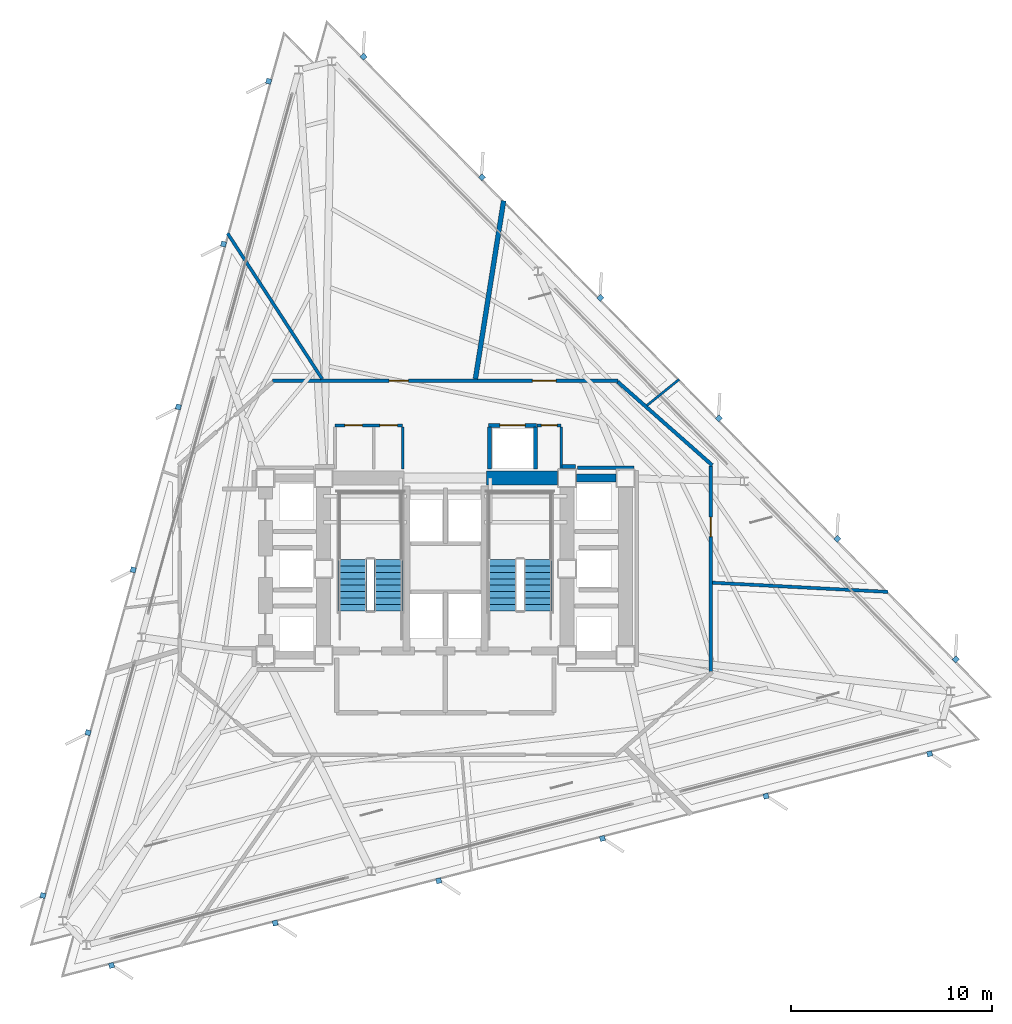
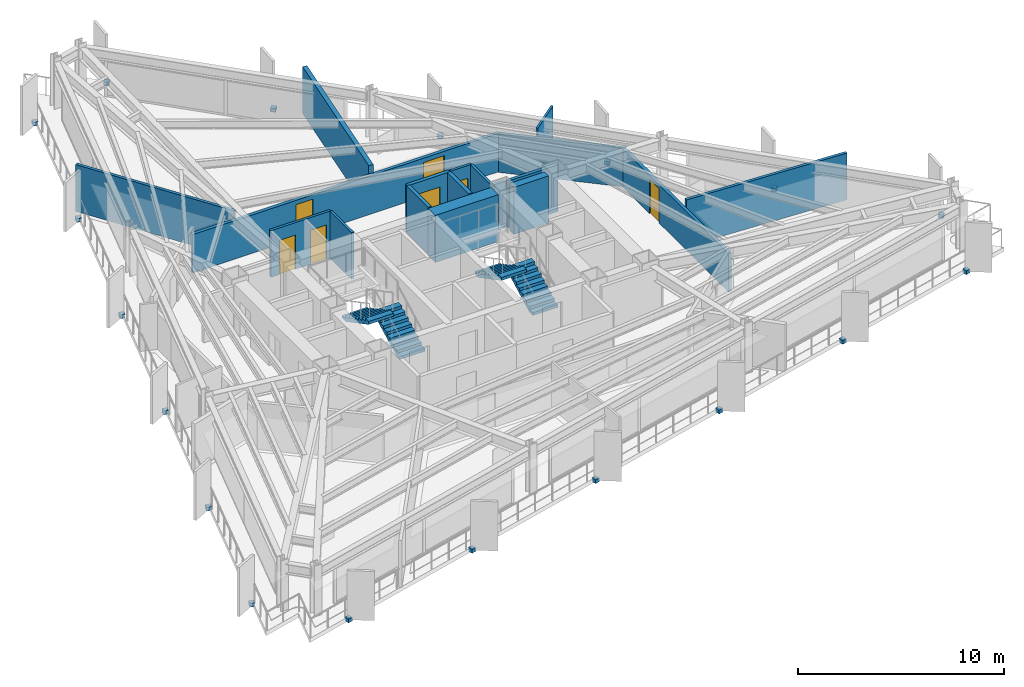
# One storey, part 8 of 11: 18 discrete accessories, 18 walls, 7 doors, 4 stair flights, 7 openings, 2 elements without a shape of their own.
"""IFC4 building model written with IfcOpenShell, lengths in metres."""

from ifc_helpers import new_model, si_unit, direction, frame, frame_2d, origin, origin_2d, place, context, subcontext, project, spatial, polyline, rectangle, outline, extrude, material, layer, layer_set, type_object, element, fill, aggregate, save


model = new_model("IFC4")

# Units and contexts
model_context = context("Model", 3, precision=1e-05, world=origin(), true_north=direction((0.0, 1.0)))
body_context = subcontext(model_context, "Body", "Model", "MODEL_VIEW")
ifc_project = project(units=[si_unit("LENGTHUNIT", "METRE"), si_unit("AREAUNIT", "SQUARE_METRE"), si_unit("VOLUMEUNIT", "CUBIC_METRE"), si_unit("PLANEANGLEUNIT", "RADIAN"), si_unit("MASSUNIT", "GRAM", prefix="KILO")], contexts=[model_context])

# Site, building, storey
site_placement = place(None, origin())
site = spatial("IfcSite", under=ifc_project, at=site_placement, CompositionType="ELEMENT")
building_placement = place(site_placement, origin())
building = spatial("IfcBuilding", under=site, at=building_placement, Name="Rocaltana Carrier Exchange", CompositionType="ELEMENT")
storey_placement = place(building_placement, frame((0.0, 0.0, 94.719970703125)))
storey = spatial("IfcBuildingStorey", under=building, at=storey_placement, Name="L29", CompositionType="ELEMENT", Elevation=94.719970703125)

# Walls
ifc_material_1 = material(Name="Double Acoustic Gypsum Partition", Category="gypsum")
ifc_layer_1 = layer(ifc_material_1, 0.159912109375)
ifc_layer_set_1 = layer_set([ifc_layer_1], Name="Double Acoustic Gypsum Partition")
wall_type_1 = type_object("IfcWallType", Name="Acoustic Studio Partition 160 EI60", PredefinedType="PARTITIONING", material=ifc_layer_set_1)
wall_1_placement = place(storey_placement, frame((13.280029296875, -0.696044921875, 0.0), z_axis=(0.0, 0.0, 1.0), x_axis=(0.998630385284, -0.052319724644, 0.0)))
element("IfcWall", 1, at=wall_1_placement, inside=storey, type_object=wall_type_1, Name="L29 Suite Divider Wall D6", PredefinedType="PARTITIONING", context=body_context, shape_type="SweptSolid", body=[
    extrude(rectangle(XDim=8.7353515625, YDim=0.159912109375, at=frame_2d((4.36767578125, 0.0))), origin(), (0.0, 0.0, 1.0), 2.762939453125),
])
wall_2_placement = place(storey_placement, frame((-6.123779296875, 9.429931640625, 0.0), z_axis=(0.0, 0.0, 1.0), x_axis=(-0.544640325453, 0.838669729924, 0.0)))
element("IfcWall", 2, at=wall_2_placement, inside=storey, type_object=wall_type_1, Name="L29 Suite Divider Wall D9", PredefinedType="PARTITIONING", context=body_context, shape_type="SweptSolid", body=[
    extrude(rectangle(XDim=8.63134765625, YDim=0.159912109375, at=frame_2d((4.315673828125, 0.0))), origin(), (0.0, 0.0, 1.0), 2.762939453125),
])
ifc_material_2 = material(Name="Concrete C50/60", Category="concrete")
ifc_layer_2 = layer(ifc_material_2, 0.39990234375)
ifc_layer_set_2 = layer_set([ifc_layer_2], Name="Concrete C50/60")
wall_type_2 = type_object("IfcWallType", Name="Core Internal Shear Wall 400", PredefinedType="SHEAR", material=ifc_layer_set_2)
wall_3_placement = place(storey_placement, frame((6.52490234375, 4.5, 0.0), z_axis=(0.0, 0.0, 1.0), x_axis=(1.0, 0.0, 0.0)))
element("IfcWall", 3, at=wall_3_placement, inside=storey, type_object=wall_type_2, Name="L29 Core Shear Wall CW-EWN", PredefinedType="SHEAR", context=body_context, shape_type="SweptSolid", body=[
    extrude(rectangle(XDim=1.9501953125, YDim=0.39990234375, at=frame_2d((0.97509765625, 0.0))), origin(), (0.0, 0.0, 1.0), 2.7880859375),
])
ifc_material_3 = material(Name="Concrete C60/75", Category="concrete")
ifc_layer_3 = layer(ifc_material_3, 0.699951171875)
ifc_layer_set_3 = layer_set([ifc_layer_3], Name="Concrete C60/75")
wall_type_3 = type_object("IfcWallType", Name="Core Shear Wall 700", PredefinedType="SHEAR", material=ifc_layer_set_3)
wall_4_placement = place(storey_placement, frame((2.050048828125, 4.5, 0.0), z_axis=(0.0, 0.0, 1.0), x_axis=(1.0, 0.0, 0.0)))
element("IfcWall", 4, at=wall_4_placement, inside=storey, type_object=wall_type_3, Name="L29 Core Shear Wall CW-N2", PredefinedType="SHEAR", context=body_context, shape_type="SweptSolid", body=[
    extrude(rectangle(XDim=3.52490234375, YDim=0.699951171875, at=frame_2d((1.762451171875, 0.0))), origin(), (0.0, 0.0, 1.0), 2.7880859375),
])

# Wall, openings, doors
ifc_material_4 = material(Name="Gypsum & Steel Stud Partition", Category="steel")
ifc_layer_4 = layer(ifc_material_4, 0.179931640625)
ifc_layer_set_4 = layer_set([ifc_layer_4], Name="Gypsum & Steel Stud Partition")
wall_type_4 = type_object("IfcWallType", Name="Corridor Fire Partition 180 EI60", PredefinedType="PARTITIONING", material=ifc_layer_set_4)
wall_5_placement = place(storey_placement, frame((-8.590087890625, 9.35009765625, 0.0), z_axis=(0.0, 0.0, 1.0), x_axis=(1.0, 0.0, 0.0)))
wall_5 = element("IfcWall", 5, at=wall_5_placement, inside=storey, type_object=wall_type_4, Name="L29 Corridor Partition 1", PredefinedType="PARTITIONING", context=body_context, shape_type="SweptSolid", body=[
    extrude(rectangle(XDim=17.18017578125, YDim=0.179931640625, at=frame_2d((8.590087890625, 0.0))), origin(), (0.0, 0.0, 1.0), 2.277099609375),
])
opening_1_placement = place(wall_5_placement, frame((12.911865234375, 0.0, 0.0)))
opening_1 = element("IfcOpeningElement", 6, at=opening_1_placement, cuts=wall_5, Name="Opening D-SU120", PredefinedType="OPENING", context=body_context, shape_type="SweptSolid", body=[
    extrude(rectangle(XDim=1.179931640625, YDim=2.02001953125, at=frame_2d((0.58984375, 1.010009765625))), frame((0.0, 0.099853515625, 0.0), z_axis=(0.0, -1.0, 0.0), x_axis=(1.0, 0.0, 0.0)), (0.0, 0.0, 1.0), 0.199951171875),
])
opening_2_placement = place(wall_5_placement, frame((5.78955078125, 0.0, 0.0)))
opening_2 = element("IfcOpeningElement", 7, at=opening_2_placement, cuts=wall_5, Name="Opening D-RM098", PredefinedType="OPENING", context=body_context, shape_type="SweptSolid", body=[
    extrude(rectangle(XDim=0.9599609375, YDim=2.02001953125, at=frame_2d((0.47998046875, 1.010009765625))), frame((0.0, 0.099853515625, 0.0), z_axis=(0.0, -1.0, 0.0), x_axis=(1.0, 0.0, 0.0)), (0.0, 0.0, 1.0), 0.199951171875),
])
ifc_material_5 = material(Name="Engineered Hardwood Timber", Category="wood")
door_type_1 = type_object("IfcDoorType", Name="Suite Double Entrance Door 1180x2020", OperationType="NOTDEFINED", PredefinedType="DOOR", material=ifc_material_5)
door_1_placement = place(opening_1_placement, origin())
door_1 = element("IfcDoor", 8, at=door_1_placement, inside=storey, type_object=door_type_1, Name="L29 Carrier Peering Suite Entrance Door", OperationType="SINGLE_SWING_LEFT", OverallHeight=2.02001953125, OverallWidth=1.179931640625, PredefinedType="DOOR", context=body_context, shape_type="SweptSolid", body=[
    extrude(rectangle(XDim=1.179931640625, YDim=2.02001953125, at=frame_2d((0.58984375, 1.010009765625))), frame((0.0, 0.02490234375, 0.0), z_axis=(0.0, -1.0, 0.0), x_axis=(1.0, 0.0, 0.0)), (0.0, 0.0, 1.0), 0.050048828125),
])
fill(opening_1, door_1)
ifc_material_6 = material(Name="Engineered Hardwood Timber", Category="wood")
door_type_2 = type_object("IfcDoorType", Name="Workspace Single Door 960x2020", OperationType="NOTDEFINED", PredefinedType="DOOR", material=ifc_material_6)
door_2_placement = place(opening_2_placement, origin())
door_2 = element("IfcDoor", 9, at=door_2_placement, inside=storey, type_object=door_type_2, Name="L29 Quiet Focus Lounge Entrance Door", OperationType="SINGLE_SWING_RIGHT", OverallHeight=2.02001953125, OverallWidth=0.9599609375, PredefinedType="DOOR", context=body_context, shape_type="SweptSolid", body=[
    extrude(rectangle(XDim=0.9599609375, YDim=2.02001953125, at=frame_2d((0.47998046875, 1.010009765625))), frame((0.0, 0.02490234375, 0.0), z_axis=(0.0, -1.0, 0.0), x_axis=(1.0, 0.0, 0.0)), (0.0, 0.0, 1.0), 0.050048828125),
])
fill(opening_2, door_2)

# Wall
wall_6_placement = place(storey_placement, frame((8.5673828125, 9.290283203125, 0.0), z_axis=(0.0, 0.0, 1.0), x_axis=(0.749626463267, -0.66186113768, 0.0)))
element("IfcWall", 10, at=wall_6_placement, inside=storey, type_object=wall_type_4, Name="L29 Corridor Partition 2", PredefinedType="PARTITIONING", context=body_context, shape_type="SweptSolid", body=[
    extrude(rectangle(XDim=6.27001953125, YDim=0.179931640625, at=frame_2d((3.135009765625, 0.0))), origin(), (0.0, 0.0, 1.0), 2.277099609375),
])

# Wall, opening, door
wall_7_placement = place(storey_placement, frame((13.199951171875, 5.110107421875, 0.0), z_axis=(0.0, 0.0, 1.0), x_axis=(0.0, -1.0, 0.0)))
wall_7 = element("IfcWall", 11, at=wall_7_placement, inside=storey, type_object=wall_type_4, Name="L29 Corridor Partition 3", PredefinedType="PARTITIONING", context=body_context, shape_type="SweptSolid", body=[
    extrude(rectangle(XDim=10.22021484375, YDim=0.179931640625, at=frame_2d((5.110107421875, 0.0))), origin(), (0.0, 0.0, 1.0), 2.277099609375),
])
opening_3_placement = place(wall_7_placement, frame((2.552978515625, 0.0, 0.0)))
opening_3 = element("IfcOpeningElement", 12, at=opening_3_placement, cuts=wall_7, Name="Opening D-RM098", PredefinedType="OPENING", context=body_context, shape_type="SweptSolid", body=[
    extrude(rectangle(XDim=0.9599609375, YDim=2.02001953125, at=frame_2d((0.47998046875, 1.010009765625))), frame((0.0, 0.099853515625, 0.0), z_axis=(0.0, -1.0, 0.0), x_axis=(1.0, 0.0, 0.0)), (0.0, 0.0, 1.0), 0.199951171875),
])
door_3_placement = place(opening_3_placement, origin())
door_3 = element("IfcDoor", 13, at=door_3_placement, inside=storey, type_object=door_type_2, Name="L29 Peering Conference Room Entrance Door", OperationType="SINGLE_SWING_RIGHT", OverallHeight=2.02001953125, OverallWidth=0.9599609375, PredefinedType="DOOR", context=body_context, shape_type="SweptSolid", body=[
    extrude(rectangle(XDim=0.9599609375, YDim=2.02001953125, at=frame_2d((0.47998046875, 1.010009765625))), frame((0.0, 0.02490234375, 0.0), z_axis=(0.0, -1.0, 0.0), x_axis=(1.0, 0.0, 0.0)), (0.0, 0.0, 1.0), 0.050048828125),
])
fill(opening_3, door_3)

# Walls
wall_8_placement = place(storey_placement, frame((9.3701171875, 5.010009765625, 0.0), z_axis=(0.0, 0.0, 1.0), x_axis=(-1.0, 0.0, 0.0)))
element("IfcWall", 14, at=wall_8_placement, inside=storey, type_object=wall_type_4, Name="L29 Corridor Partition 18", PredefinedType="PARTITIONING", context=body_context, shape_type="SweptSolid", body=[
    extrude(rectangle(XDim=2.807861328125, YDim=0.179931640625, at=frame_2d((1.40380859375, 0.0))), origin(), (0.0, 0.0, 1.0), 2.762939453125),
])
wall_9_placement = place(storey_placement, frame((6.469970703125, 5.080078125, 0.0), z_axis=(0.0, 0.0, 1.0), x_axis=(-1.0, 0.0, 0.0)))
element("IfcWall", 15, at=wall_9_placement, inside=storey, type_object=wall_type_4, Name="L29 Corridor Partition 19", PredefinedType="PARTITIONING", context=body_context, shape_type="SweptSolid", body=[
    extrude(rectangle(XDim=0.679931640625, YDim=0.179931640625, at=frame_2d((0.33984375, 0.0))), origin(), (0.0, 0.0, 1.0), 2.762939453125),
])
ifc_material_7 = material(Name="Aluminium 6063-T6 & Acoustic Glass", Category="aluminium")
ifc_layer_5 = layer(ifc_material_7, 0.114990234375)
ifc_layer_set_5 = layer_set([ifc_layer_5], Name="Aluminium 6063-T6 & Acoustic Glass")
wall_type_5 = type_object("IfcWallType", Name="Demountable Glazed Lab Partition 115", PredefinedType="MOVABLE", material=ifc_layer_set_5)
wall_10_placement = place(storey_placement, frame((10.020263671875, 8.1142578125, 0.0), z_axis=(0.0, 0.0, 1.0), x_axis=(0.777156579316, 0.62930727886, 0.0)))
element("IfcWall", 16, at=wall_10_placement, inside=storey, type_object=wall_type_5, Name="L29 Suite Divider Wall D7", PredefinedType="MOVABLE", context=body_context, shape_type="SweptSolid", body=[
    extrude(rectangle(XDim=2.060791015625, YDim=0.114990234375, at=frame_2d((1.0302734375, 0.0))), origin(), (0.0, 0.0, 1.0), 2.762939453125),
])
ifc_material_8 = material(Name="Acoustic Calcium Silicate Partition", Category="gypsum")
ifc_layer_6 = layer(ifc_material_8, 0.239990234375)
ifc_layer_set_6 = layer_set([ifc_layer_6], Name="Acoustic Calcium Silicate Partition")
wall_type_6 = type_object("IfcWallType", Name="Heavy Lab Partition 240 EI90", PredefinedType="PARTITIONING", material=ifc_layer_set_6)
wall_11_placement = place(storey_placement, frame((1.49365234375, 9.429931640625, 0.0), z_axis=(0.0, 0.0, 1.0), x_axis=(0.156413985488, 0.98769158402, 0.0)))
element("IfcWall", 17, at=wall_11_placement, inside=storey, type_object=wall_type_6, Name="L29 Suite Divider Wall D8", PredefinedType="PARTITIONING", context=body_context, shape_type="SweptSolid", body=[
    extrude(rectangle(XDim=8.97021484375, YDim=0.239990234375, at=frame_2d((4.485107421875, 0.0))), origin(), (0.0, 0.0, 1.0), 2.762939453125),
])
ifc_material_9 = material(Name="Reinforced Concrete Block C35/45", Category="concrete")
ifc_layer_7 = layer(ifc_material_9, 0.199951171875)
ifc_layer_set_7 = layer_set([ifc_layer_7], Name="Reinforced Concrete Block C35/45")
wall_type_7 = type_object("IfcWallType", Name="Lift Hoistway Enclosure Wall 200 EI120", PredefinedType="PARTITIONING", material=ifc_layer_set_7)
for number, where, z_axis, x_axis, name in (
    (18, (2.199951171875, 4.949951171875, 0.0), (0.0, 0.0, 1.0), (0.0, 1.0, 0.0), "L29 Goods Lift West Wall"),
    (19, (4.47998046875, 4.949951171875, 0.0), (0.0, 0.0, 1.0), (0.0, 1.0, 0.0), "L29 Goods Lift East Wall"),
):
    element("IfcWall", number, at=place(storey_placement, frame(where, z_axis=z_axis, x_axis=x_axis)), inside=storey, type_object=wall_type_7, Name=name, PredefinedType="PARTITIONING", context=body_context, shape_type="SweptSolid", body=[
        extrude(rectangle(XDim=2.10009765625, YDim=0.199951171875, at=frame_2d((1.050048828125, 0.0))), origin(), (0.0, 0.0, 1.0), 2.762939453125),
    ])

# Wall, opening, door
wall_12_placement = place(storey_placement, frame((2.14990234375, 7.1201171875, 0.0), z_axis=(0.0, 0.0, 1.0), x_axis=(1.0, 0.0, 0.0)))
wall_12 = element("IfcWall", 20, at=wall_12_placement, inside=storey, type_object=wall_type_7, Name="L29 Goods Lift Front Wall", PredefinedType="PARTITIONING", context=body_context, shape_type="SweptSolid", body=[
    extrude(rectangle(XDim=2.380126953125, YDim=0.199951171875, at=frame_2d((1.18994140625, 0.0))), origin(), (0.0, 0.0, 1.0), 2.762939453125),
])
opening_4_placement = place(wall_12_placement, frame((0.56005859375, 0.0, 0.0)))
opening_4 = element("IfcOpeningElement", 21, at=opening_4_placement, cuts=wall_12, Name="Opening LD-130", PredefinedType="OPENING", context=body_context, shape_type="SweptSolid", body=[
    extrude(rectangle(XDim=1.260009765625, YDim=2.06005859375, at=frame_2d((0.6298828125, 1.030029296875))), frame((0.0, 0.10986328125, 0.0), z_axis=(0.0, -1.0, 0.0), x_axis=(1.0, 0.0, 0.0)), (0.0, 0.0, 1.0), 0.219970703125),
])
ifc_material_10 = material(Name="Brushed Stainless Sliding Door Leaf", Category="steel")
door_type_3 = type_object("IfcDoorType", Name="Goods Lift Landing Sliding Door 1260x2060", OperationType="NOTDEFINED", PredefinedType="DOOR", material=ifc_material_10)
door_4_placement = place(opening_4_placement, origin())
door_4 = element("IfcDoor", 22, at=door_4_placement, inside=storey, type_object=door_type_3, Name="L29 Goods Lift GL-1 Landing Door", OperationType="SLIDING_TO_LEFT", OverallHeight=2.06005859375, OverallWidth=1.260009765625, PredefinedType="DOOR", context=body_context, shape_type="SweptSolid", body=[
    extrude(rectangle(XDim=1.260009765625, YDim=2.06005859375, at=frame_2d((0.6298828125, 1.030029296875))), frame((0.0, 0.02490234375, 0.0), z_axis=(0.0, -1.0, 0.0), x_axis=(1.0, 0.0, 0.0)), (0.0, 0.0, 1.0), 0.050048828125),
])
fill(opening_4, door_4)

# Wall
ifc_material_11 = material(Name="Moisture-Resistant Masonry C30/37", Category="masonry")
ifc_layer_8 = layer(ifc_material_11, 0.139892578125)
ifc_layer_set_8 = layer_set([ifc_layer_8], Name="Moisture-Resistant Masonry C30/37")
wall_type_8 = type_object("IfcWallType", Name="Wet-Area Sanitary Partition 140", PredefinedType="PARTITIONING", material=ifc_layer_set_8)
wall_13_placement = place(storey_placement, frame((-2.1201171875, 4.949951171875, 0.0), z_axis=(0.0, 0.0, 1.0), x_axis=(0.0, 1.0, 0.0)))
element("IfcWall", 23, at=wall_13_placement, inside=storey, type_object=wall_type_8, Name="L29 Sanitary East Wall", PredefinedType="PARTITIONING", context=body_context, shape_type="SweptSolid", body=[
    extrude(rectangle(XDim=2.10009765625, YDim=0.139892578125, at=frame_2d((1.050048828125, 0.0))), origin(), (0.0, 0.0, 1.0), 2.762939453125),
])

# Wall, openings, doors
wall_14_placement = place(storey_placement, frame((-5.47998046875, 7.1201171875, 0.0), z_axis=(0.0, 0.0, 1.0), x_axis=(1.0, 0.0, 0.0)))
wall_14 = element("IfcWall", 24, at=wall_14_placement, inside=storey, type_object=wall_type_8, Name="L29 Sanitary North Wall", PredefinedType="PARTITIONING", context=body_context, shape_type="SweptSolid", body=[
    extrude(rectangle(XDim=3.35986328125, YDim=0.139892578125, at=frame_2d((1.679931640625, 0.0))), origin(), (0.0, 0.0, 1.0), 2.762939453125),
])
opening_5_placement = place(wall_14_placement, frame((0.47998046875, 0.0, 0.0)))
opening_5 = element("IfcOpeningElement", 25, at=opening_5_placement, cuts=wall_14, Name="Opening D-WC090", PredefinedType="OPENING", context=body_context, shape_type="SweptSolid", body=[
    extrude(rectangle(XDim=0.8798828125, YDim=2.02001953125, at=frame_2d((0.43994140625, 1.010009765625))), frame((0.0, 0.079833984375, 0.0), z_axis=(0.0, -1.0, 0.0), x_axis=(1.0, 0.0, 0.0)), (0.0, 0.0, 1.0), 0.159912109375),
])
opening_6_placement = place(wall_14_placement, frame((2.219970703125, 0.0, 0.0)))
opening_6 = element("IfcOpeningElement", 26, at=opening_6_placement, cuts=wall_14, Name="Opening D-WC090", PredefinedType="OPENING", context=body_context, shape_type="SweptSolid", body=[
    extrude(rectangle(XDim=0.8798828125, YDim=2.02001953125, at=frame_2d((0.43994140625, 1.010009765625))), frame((0.0, 0.079833984375, 0.0), z_axis=(0.0, -1.0, 0.0), x_axis=(1.0, 0.0, 0.0)), (0.0, 0.0, 1.0), 0.159912109375),
])
ifc_material_12 = material(Name="High-Pressure Laminate Timber", Category="wood")
door_type_4 = type_object("IfcDoorType", Name="Restroom & Accessible WC Door 880x2020", OperationType="NOTDEFINED", PredefinedType="DOOR", material=ifc_material_12)
door_5_placement = place(opening_5_placement, origin())
door_5 = element("IfcDoor", 27, at=door_5_placement, inside=storey, type_object=door_type_4, Name="L29 Accessible Toilet Door", OperationType="SINGLE_SWING_RIGHT", OverallHeight=2.02001953125, OverallWidth=0.8798828125, PredefinedType="DOOR", context=body_context, shape_type="SweptSolid", body=[
    extrude(rectangle(XDim=0.8798828125, YDim=2.02001953125, at=frame_2d((0.43994140625, 1.010009765625))), frame((0.0, 0.02490234375, 0.0), z_axis=(0.0, -1.0, 0.0), x_axis=(1.0, 0.0, 0.0)), (0.0, 0.0, 1.0), 0.050048828125),
])
fill(opening_5, door_5)
door_6_placement = place(opening_6_placement, origin())
door_6 = element("IfcDoor", 28, at=door_6_placement, inside=storey, type_object=door_type_4, Name="L29 Staff Restroom Door", OperationType="SINGLE_SWING_LEFT", OverallHeight=2.02001953125, OverallWidth=0.8798828125, PredefinedType="DOOR", context=body_context, shape_type="SweptSolid", body=[
    extrude(rectangle(XDim=0.8798828125, YDim=2.02001953125, at=frame_2d((0.43994140625, 1.010009765625))), frame((0.0, 0.02490234375, 0.0), z_axis=(0.0, -1.0, 0.0), x_axis=(1.0, 0.0, 0.0)), (0.0, 0.0, 1.0), 0.050048828125),
])
fill(opening_6, door_6)

# Wall
wall_15_placement = place(storey_placement, frame((5.760009765625, 4.949951171875, 0.0), z_axis=(0.0, 0.0, 1.0), x_axis=(0.0, 1.0, 0.0)))
element("IfcWall", 29, at=wall_15_placement, inside=storey, type_object=wall_type_8, Name="L29 Riser East Wall", PredefinedType="PARTITIONING", context=body_context, shape_type="SweptSolid", body=[
    extrude(rectangle(XDim=2.10009765625, YDim=0.139892578125, at=frame_2d((1.050048828125, 0.0))), origin(), (0.0, 0.0, 1.0), 2.762939453125),
])

# Wall, opening, door
wall_16_placement = place(storey_placement, frame((4.56005859375, 7.1201171875, 0.0), z_axis=(0.0, 0.0, 1.0), x_axis=(1.0, 0.0, 0.0)))
wall_16 = element("IfcWall", 30, at=wall_16_placement, inside=storey, type_object=wall_type_8, Name="L29 Riser North Wall", PredefinedType="PARTITIONING", context=body_context, shape_type="SweptSolid", body=[
    extrude(rectangle(XDim=1.199951171875, YDim=0.139892578125, at=frame_2d((0.60009765625, 0.0))), origin(), (0.0, 0.0, 1.0), 2.762939453125),
])
opening_7_placement = place(wall_16_placement, frame((0.2099609375, 0.0, 0.0)))
opening_7 = element("IfcOpeningElement", 31, at=opening_7_placement, cuts=wall_16, Name="Opening D-RS082", PredefinedType="OPENING", context=body_context, shape_type="SweptSolid", body=[
    extrude(rectangle(XDim=0.780029296875, YDim=2.010009765625, at=frame_2d((0.39013671875, 1.0048828125))), frame((0.0, 0.079833984375, 0.0), z_axis=(0.0, -1.0, 0.0), x_axis=(1.0, 0.0, 0.0)), (0.0, 0.0, 1.0), 0.159912109375),
])
ifc_material_13 = material(Name="Hollow Metal Access Door Leaf", Category="steel")
door_type_5 = type_object("IfcDoorType", Name="Riser & Service Closet Door 780x2010", OperationType="NOTDEFINED", PredefinedType="DOOR", material=ifc_material_13)
door_7_placement = place(opening_7_placement, origin())
door_7 = element("IfcDoor", 32, at=door_7_placement, inside=storey, type_object=door_type_5, Name="L29 Fibre Riser Closet Door", OperationType="SINGLE_SWING_RIGHT", OverallHeight=2.010009765625, OverallWidth=0.780029296875, PredefinedType="DOOR", context=body_context, shape_type="SweptSolid", body=[
    extrude(rectangle(XDim=0.780029296875, YDim=2.010009765625, at=frame_2d((0.39013671875, 1.0048828125))), frame((0.0, 0.02490234375, 0.0), z_axis=(0.0, -1.0, 0.0), x_axis=(1.0, 0.0, 0.0)), (0.0, 0.0, 1.0), 0.050048828125),
])
fill(opening_7, door_7)

# Stair, stair flights
ifc_material_14 = material(Name="Precast concrete C45/55", Category="concrete")
stair_type = type_object("IfcStairType", Name="Standard Dog-Leg Stair 160", PredefinedType="HALF_TURN_STAIR", material=ifc_material_14)
stair_1_placement = place(storey_placement, origin())
stair_1 = element("IfcStair", 33, at=stair_1_placement, inside=storey, type_object=stair_type, Name="L29 Core West Exit Stair ST-1", PredefinedType="HALF_TURN_STAIR")
ifc_material_15 = material(Name="Precast concrete C45/55", Category="concrete")
stair_flight_type = type_object("IfcStairFlightType", Name="Precast Stair Flight 160", PredefinedType="STRAIGHT", material=ifc_material_15)
stair_flight_1_placement = place(storey_placement, frame((-2.840087890625, -2.10009765625, 0.0), z_axis=(0.0, 0.0, 1.0), x_axis=(0.0, 1.0, 0.0)))
stair_flight_1 = element("IfcStairFlight", 34, at=stair_flight_1_placement, type_object=stair_flight_type, Name="ST-1 flight 1", NumberOfRisers=9, NumberOfTreads=8, PredefinedType="STRAIGHT", RiserHeight=0.168888889, TreadLength=0.32, context=body_context, shape_type="SweptSolid", body=[
    extrude(outline(polyline([(0.0, 0.0), (0.0, 0.1689453125), (0.320068359375, 0.1689453125), (0.320068359375, 0.337890625), (0.639892578125, 0.337890625), (0.639892578125, 0.506591796875), (0.9599609375, 0.506591796875), (0.9599609375, 0.675537109375), (1.280029296875, 0.675537109375), (1.280029296875, 0.844482421875), (1.60009765625, 0.844482421875), (1.60009765625, 1.013427734375), (1.919921875, 1.013427734375), (1.919921875, 1.18212890625), (2.239990234375, 1.18212890625), (2.239990234375, 1.35107421875), (2.56005859375, 1.35107421875), (2.56005859375, 1.52001953125), (2.56005859375, 1.17041015625), (0.342529296875, 0.0), (0.0, 0.0)])), frame((0.0, 0.699951171875, 0.0), z_axis=(0.0, -1.0, 0.0), x_axis=(1.0, 0.0, 0.0)), (0.0, 0.0, 1.0), 1.39990234375),
])
stair_flight_2_placement = place(storey_placement, frame((-4.60009765625, 0.4599609375, 1.52001953125), z_axis=(0.0, 0.0, 1.0), x_axis=(0.0, -1.0, 0.0)))
stair_flight_2 = element("IfcStairFlight", 35, at=stair_flight_2_placement, type_object=stair_flight_type, Name="ST-1 flight 2", NumberOfRisers=9, NumberOfTreads=8, PredefinedType="STRAIGHT", RiserHeight=0.168888889, TreadLength=0.32, context=body_context, shape_type="SweptSolid", body=[
    extrude(outline(polyline([(0.0, 0.0), (0.0, 0.1689453125), (0.320068359375, 0.1689453125), (0.320068359375, 0.337890625), (0.639892578125, 0.337890625), (0.639892578125, 0.506591796875), (0.9599609375, 0.506591796875), (0.9599609375, 0.675537109375), (1.280029296875, 0.675537109375), (1.280029296875, 0.844482421875), (1.60009765625, 0.844482421875), (1.60009765625, 1.013427734375), (1.919921875, 1.013427734375), (1.919921875, 1.18212890625), (2.239990234375, 1.18212890625), (2.239990234375, 1.35107421875), (2.56005859375, 1.35107421875), (2.56005859375, 1.52001953125), (2.56005859375, 1.17041015625), (0.342529296875, 0.0), (0.0, 0.0)])), frame((0.0, 0.699951171875, 0.0), z_axis=(0.0, -1.0, 0.0), x_axis=(1.0, 0.0, 0.0)), (0.0, 0.0, 1.0), 1.39990234375),
])
aggregate(stair_1, [stair_flight_1, stair_flight_2])

stair_2_placement = place(storey_placement, origin())
stair_2 = element("IfcStair", 36, at=stair_2_placement, inside=storey, type_object=stair_type, Name="L29 Core East Exit Stair ST-2", PredefinedType="HALF_TURN_STAIR")
stair_flight_3_placement = place(storey_placement, frame((4.60009765625, -2.10009765625, 0.0), z_axis=(0.0, 0.0, 1.0), x_axis=(0.0, 1.0, 0.0)))
stair_flight_3 = element("IfcStairFlight", 37, at=stair_flight_3_placement, type_object=stair_flight_type, Name="ST-2 flight 1", NumberOfRisers=9, NumberOfTreads=8, PredefinedType="STRAIGHT", RiserHeight=0.168888889, TreadLength=0.32, context=body_context, shape_type="SweptSolid", body=[
    extrude(outline(polyline([(0.0, 0.0), (0.0, 0.1689453125), (0.320068359375, 0.1689453125), (0.320068359375, 0.337890625), (0.639892578125, 0.337890625), (0.639892578125, 0.506591796875), (0.9599609375, 0.506591796875), (0.9599609375, 0.675537109375), (1.280029296875, 0.675537109375), (1.280029296875, 0.844482421875), (1.60009765625, 0.844482421875), (1.60009765625, 1.013427734375), (1.919921875, 1.013427734375), (1.919921875, 1.18212890625), (2.239990234375, 1.18212890625), (2.239990234375, 1.35107421875), (2.56005859375, 1.35107421875), (2.56005859375, 1.52001953125), (2.56005859375, 1.17041015625), (0.342529296875, 0.0), (0.0, 0.0)])), frame((0.0, 0.699951171875, 0.0), z_axis=(0.0, -1.0, 0.0), x_axis=(1.0, 0.0, 0.0)), (0.0, 0.0, 1.0), 1.39990234375),
])
stair_flight_4_placement = place(storey_placement, frame((2.840087890625, 0.4599609375, 1.52001953125), z_axis=(0.0, 0.0, 1.0), x_axis=(0.0, -1.0, 0.0)))
stair_flight_4 = element("IfcStairFlight", 38, at=stair_flight_4_placement, type_object=stair_flight_type, Name="ST-2 flight 2", NumberOfRisers=9, NumberOfTreads=8, PredefinedType="STRAIGHT", RiserHeight=0.168888889, TreadLength=0.32, context=body_context, shape_type="SweptSolid", body=[
    extrude(outline(polyline([(0.0, 0.0), (0.0, 0.1689453125), (0.320068359375, 0.1689453125), (0.320068359375, 0.337890625), (0.639892578125, 0.337890625), (0.639892578125, 0.506591796875), (0.9599609375, 0.506591796875), (0.9599609375, 0.675537109375), (1.280029296875, 0.675537109375), (1.280029296875, 0.844482421875), (1.60009765625, 0.844482421875), (1.60009765625, 1.013427734375), (1.919921875, 1.013427734375), (1.919921875, 1.18212890625), (2.239990234375, 1.18212890625), (2.239990234375, 1.35107421875), (2.56005859375, 1.35107421875), (2.56005859375, 1.52001953125), (2.56005859375, 1.17041015625), (0.342529296875, 0.0), (0.0, 0.0)])), frame((0.0, 0.699951171875, 0.0), z_axis=(0.0, -1.0, 0.0), x_axis=(1.0, 0.0, 0.0)), (0.0, 0.0, 1.0), 1.39990234375),
])
aggregate(stair_2, [stair_flight_3, stair_flight_4])

# Discrete accessories
ifc_material_16 = material(Name="Brushed Architectural Stainless Metal", Category="steel")
ifc_layer_9 = layer(ifc_material_16, 0.219970703125)
ifc_layer_set_9 = layer_set([ifc_layer_9], Name="Brushed Architectural Stainless Metal")
discrete_accessory_type = type_object("IfcDiscreteAccessoryType", Name="Stainless Fin Slab-Edge Bracket 260x260x220", PredefinedType="BRACKET", material=ifc_layer_set_9)
for number, where, z_axis, x_axis, name in (
    (39, (25.371826171875, -4.509765625, -0.2099609375), (0.0, 0.0, 1.0), (-0.7009092643, 0.713250449154, 0.0), "L29 Sandstone Fin Edge Bracket F1-01"),
    (40, (19.484375, 1.481689453125, -0.2099609375), (0.0, 0.0, 1.0), (-0.7009092643, 0.713250449154, 0.0), "L29 Sandstone Fin Edge Bracket F1-02"),
    (41, (13.5966796875, 7.472900390625, -0.2099609375), (0.0, 0.0, 1.0), (-0.7009092643, 0.713250449154, 0.0), "L29 Sandstone Fin Edge Bracket F1-03"),
    (42, (7.708984375, 13.464111328125, -0.2099609375), (0.0, 0.0, 1.0), (-0.7009092643, 0.713250449154, 0.0), "L29 Sandstone Fin Edge Bracket F1-04"),
    (43, (1.8212890625, 19.45556640625, -0.2099609375), (0.0, 0.0, 1.0), (-0.7009092643, 0.713250449154, 0.0), "L29 Sandstone Fin Edge Bracket F1-05"),
    (44, (-4.066162109375, 25.44677734375, -0.2099609375), (0.0, 0.0, 1.0), (-0.7009092643, 0.713250449154, 0.0), "L29 Sandstone Fin Edge Bracket F1-06"),
    (45, (-8.780517578125, 24.2275390625, -0.2099609375), (0.0, 0.0, 1.0), (-0.267238376078, -0.963630453209, 0.0), "L29 Sandstone Fin Edge Bracket F2-01"),
    (46, (-11.025146484375, 16.133056640625, -0.2099609375), (0.0, 0.0, 1.0), (-0.267238376078, -0.963630453209, 0.0), "L29 Sandstone Fin Edge Bracket F2-02"),
    (47, (-13.27001953125, 8.03857421875, -0.2099609375), (0.0, 0.0, 1.0), (-0.267238376078, -0.963630453209, 0.0), "L29 Sandstone Fin Edge Bracket F2-03"),
    (48, (-15.514892578125, -0.055908203125, -0.2099609375), (0.0, 0.0, 1.0), (-0.267238376078, -0.963630453209, 0.0), "L29 Sandstone Fin Edge Bracket F2-04"),
    (49, (-17.759521484375, -8.150390625, -0.2099609375), (0.0, 0.0, 1.0), (-0.267238376078, -0.963630453209, 0.0), "L29 Sandstone Fin Edge Bracket F2-05"),
    (50, (-20.00439453125, -16.244873046875, -0.2099609375), (0.0, 0.0, 1.0), (-0.267238376078, -0.963630453209, 0.0), "L29 Sandstone Fin Edge Bracket F2-06"),
    (51, (-16.591552734375, -19.718017578125, -0.2099609375), (0.0, 0.0, 1.0), (0.968147640378, 0.250380004054, 0.0), "L29 Sandstone Fin Edge Bracket F3-01"),
    (52, (-8.458984375, -17.61474609375, -0.2099609375), (0.0, 0.0, 1.0), (0.968147640378, 0.250380004054, 0.0), "L29 Sandstone Fin Edge Bracket F3-02"),
    (53, (-0.32666015625, -15.511474609375, -0.2099609375), (0.0, 0.0, 1.0), (0.968147640378, 0.250380004054, 0.0), "L29 Sandstone Fin Edge Bracket F3-03"),
    (54, (7.805908203125, -13.408203125, -0.2099609375), (0.0, 0.0, 1.0), (0.968147640378, 0.250380004054, 0.0), "L29 Sandstone Fin Edge Bracket F3-04"),
    (55, (15.938232421875, -11.30517578125, -0.2099609375), (0.0, 0.0, 1.0), (0.968147640378, 0.250380004054, 0.0), "L29 Sandstone Fin Edge Bracket F3-05"),
    (56, (24.07080078125, -9.201904296875, -0.2099609375), (0.0, 0.0, 1.0), (0.968147640378, 0.250380004054, 0.0), "L29 Sandstone Fin Edge Bracket F3-06"),
):
    element("IfcDiscreteAccessory", number, at=place(storey_placement, frame(where, z_axis=z_axis, x_axis=x_axis)), inside=storey, type_object=discrete_accessory_type, Name=name, PredefinedType="BRACKET", context=body_context, shape_type="SweptSolid", body=[
        extrude(rectangle(XDim=0.260009765625, YDim=0.260009765625, at=origin_2d()), origin(), (0.0, 0.0, 1.0), 0.219970703125),
    ])

save(model, "model.ifc")
